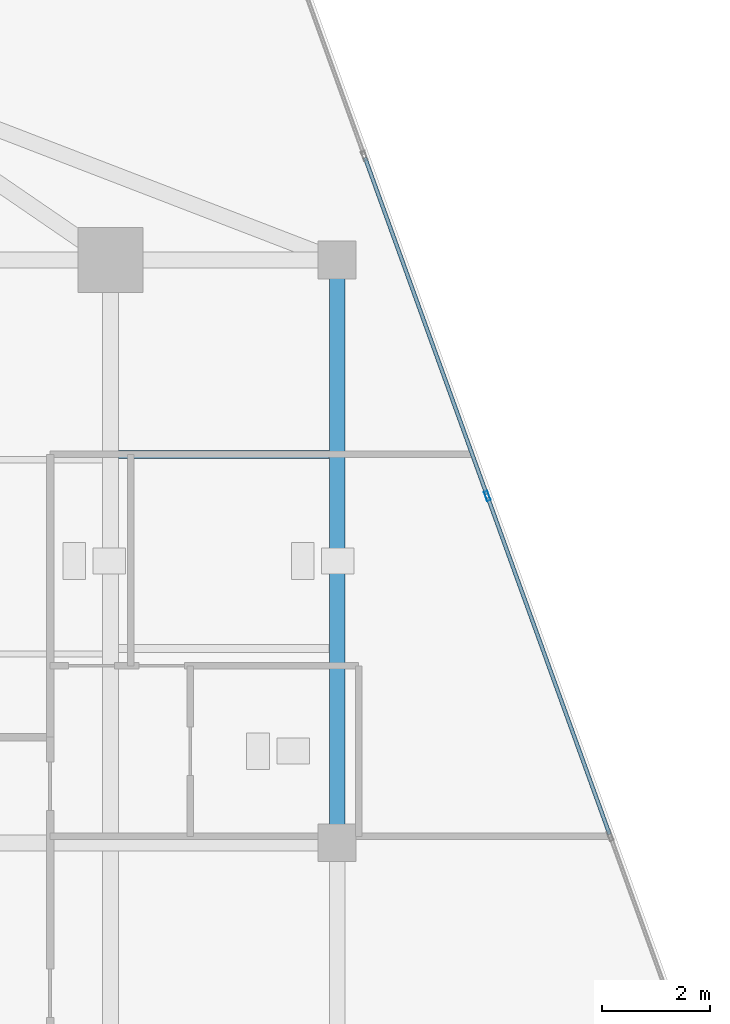
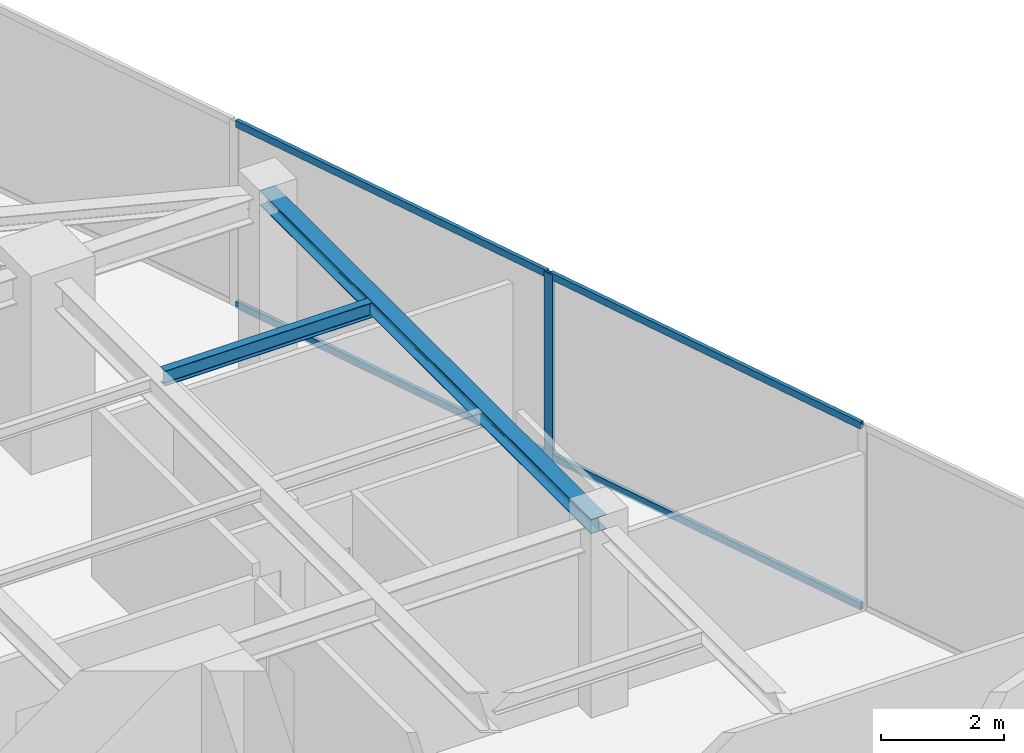
# One storey, part 12 of 21: 5 members, 2 beams, 1 element without a shape of its own.
"""IFC4 building model written with IfcOpenShell, lengths in metres."""

import ifcopenshell
import ifcopenshell.guid

model = None  # the IFC model being written
_history = None  # IfcOwnerHistory: only IFC2X3 demands one
_inside = {}  # id of a spatial element -> (the spatial element, [elements in it])
_under = {}  # id of a project, library or spatial element -> (it, [spatial elements below it])
_declared = {}  # id of a project -> (the project, [libraries it declares])
_typed = {}  # id of a type object -> (the type object, [elements of that type])
_made_of = {}  # id of a material, layer set ... -> (it, [elements and type objects made of it])


def new_model(schema):
    """Start an empty IFC model of exactly this schema.

    Asked for "IFC4X3", IfcOpenShell would pick the latest addendum, in which some entities
    have other attributes; the version numbers below select the first issue.
    IFC2X3 requires an IfcOwnerHistory on every rooted entity: one is made here for all.
    """
    global model, _history
    if schema == "IFC4X3":
        model = ifcopenshell.file(schema_version=(4, 3, 0, 0))
    else:
        model = ifcopenshell.file(schema=schema)
    _inside.clear()
    _under.clear()
    _declared.clear()
    _typed.clear()
    _made_of.clear()
    _history = None
    if model.schema == "IFC2X3":
        org = make("IfcOrganization", Name="unknown")
        user = make(
            "IfcPersonAndOrganization",
            ThePerson=make("IfcPerson", FamilyName="unknown"),
            TheOrganization=org,
        )
        app = make(
            "IfcApplication",
            ApplicationDeveloper=org,
            Version="unknown",
            ApplicationFullName="unknown",
            ApplicationIdentifier="unknown",
        )
        _history = make(
            "IfcOwnerHistory",
            OwningUser=user,
            OwningApplication=app,
            ChangeAction="ADDED",
            CreationDate=0,
        )
    return model


def make(cls, **values):
    """One entity of the class cls with the attributes given. An attribute that is None is left unset."""
    return model.create_entity(
        cls, **{name: value for name, value in values.items() if value is not None}
    )


def rooted(cls, **values):
    """An entity with a GlobalId (a new one), such as an element, a storey or a relation."""
    return make(cls, GlobalId=ifcopenshell.guid.new(), OwnerHistory=_history, **values)


def si_unit(unit_type, name, prefix=None):
    """IfcSIUnit, for example si_unit("LENGTHUNIT", "METRE", prefix="MILLI")."""
    return make("IfcSIUnit", UnitType=unit_type, Prefix=prefix, Name=name)


def assignment(units):
    """IfcUnitAssignment: the units of a project."""
    return None if units is None else make("IfcUnitAssignment", Units=units)


def point(xyz):
    """IfcCartesianPoint."""
    return None if xyz is None else make("IfcCartesianPoint", Coordinates=xyz)


def direction(xyz):
    """IfcDirection."""
    return None if xyz is None else make("IfcDirection", DirectionRatios=xyz)


def frame(location, z_axis=None, x_axis=None):
    """IfcAxis2Placement3D, a coordinate frame: its origin and axes. An axis left out is left unset."""
    return make(
        "IfcAxis2Placement3D",
        Location=point(location),
        Axis=direction(z_axis),
        RefDirection=direction(x_axis),
    )


def frame_2d(location, x_axis=None):
    """IfcAxis2Placement2D, a coordinate frame in the plane: its origin and x axis."""
    return make(
        "IfcAxis2Placement2D", Location=point(location), RefDirection=direction(x_axis)
    )


def origin():
    """The frame at (0, 0, 0) with its axes left unset."""
    return frame((0.0, 0.0, 0.0))


def origin_2d():
    """The frame at (0, 0) in the plane with its x axis left unset."""
    return frame_2d((0.0, 0.0))


def place(relative_to, where):
    """IfcLocalPlacement: puts the frame where relative to a parent placement (None: the world)."""
    return make(
        "IfcLocalPlacement", PlacementRelTo=relative_to, RelativePlacement=where
    )


def context(
    kind, dimensions, precision=None, world=None, true_north=None, identifier=None
):
    """IfcGeometricRepresentationContext, for example the 3D "Model" context."""
    return make(
        "IfcGeometricRepresentationContext",
        ContextIdentifier=identifier,
        ContextType=kind,
        CoordinateSpaceDimension=dimensions,
        Precision=precision,
        WorldCoordinateSystem=world,
        TrueNorth=true_north,
    )


def subcontext(parent, identifier, kind, view, scale=None):
    """IfcGeometricRepresentationSubContext, for example "Body" below "Model"."""
    return make(
        "IfcGeometricRepresentationSubContext",
        ContextIdentifier=identifier,
        ContextType=kind,
        ParentContext=parent,
        TargetScale=scale,
        TargetView=view,
    )


def project(units=None, contexts=None):
    """IfcProject with its units and contexts."""
    return rooted(
        "IfcProject",
        Name="project",
        RepresentationContexts=contexts,
        UnitsInContext=assignment(units),
    )


def spatial(cls, under=None, at=None, **own):
    """A site, building, storey or space (cls), placed at a placement, below another one or the project."""
    s = rooted(cls, ObjectPlacement=at, **own)
    if under is not None:
        _under.setdefault(under.id(), (under, []))[1].append(s)
    return s


def profile(cls, at=None, kind="AREA", **sizes):
    """A parametric profile (cls). Its sizes go by their IFC names, for example OverallWidth=200.0."""
    return make(cls, ProfileType=kind, Position=at, **sizes)


def hollow_rectangle(**sizes):
    """IfcRectangleHollowProfileDef."""
    return profile("IfcRectangleHollowProfileDef", **sizes)


def i_section(**sizes):
    """IfcIShapeProfileDef."""
    return profile("IfcIShapeProfileDef", **sizes)


def extrude(swept, where, along, depth):
    """IfcExtrudedAreaSolid: the profile swept, set in the frame where, extruded along a direction by depth."""
    return make(
        "IfcExtrudedAreaSolid",
        SweptArea=swept,
        Position=where,
        ExtrudedDirection=direction(along),
        Depth=depth,
    )


def shape(context_of_items, identifier, shape_type, items):
    """IfcShapeRepresentation: the items that make up one representation, for example the "Body"."""
    return make(
        "IfcShapeRepresentation",
        ContextOfItems=context_of_items,
        RepresentationIdentifier=identifier,
        RepresentationType=shape_type,
        Items=items,
    )


def source(mapping_origin, context_of_items, identifier, shape_type, items):
    """IfcRepresentationMap: a shape defined once, which mapped items show again and again."""
    return make(
        "IfcRepresentationMap",
        MappingOrigin=mapping_origin,
        MappedRepresentation=shape(context_of_items, identifier, shape_type, items),
    )


def transform(
    local_origin,
    x_axis=None,
    y_axis=None,
    z_axis=None,
    scale=None,
    scale2=None,
    scale3=None,
    uniform=True,
):
    """IfcCartesianTransformationOperator3D, or its non-uniform kind. x_axis, y_axis, z_axis: its Axis1, 2, 3."""
    if uniform:
        return make(
            "IfcCartesianTransformationOperator3D",
            Axis1=direction(x_axis),
            Axis2=direction(y_axis),
            LocalOrigin=point(local_origin),
            Scale=scale,
            Axis3=direction(z_axis),
        )
    return make(
        "IfcCartesianTransformationOperator3DnonUniform",
        Axis1=direction(x_axis),
        Axis2=direction(y_axis),
        LocalOrigin=point(local_origin),
        Scale=scale,
        Axis3=direction(z_axis),
        Scale2=scale2,
        Scale3=scale3,
    )


def mapped(mapping_source, mapping_target):
    """IfcMappedItem: shows the shape of a source again, moved by a transform."""
    return make(
        "IfcMappedItem", MappingSource=mapping_source, MappingTarget=mapping_target
    )


def material(Name=None, Category=None):
    """IfcMaterial."""
    return make("IfcMaterial", Name=Name, Category=Category)


def material_profile(
    of_material, cross_section, Name=None, Category=None, Priority=None
):
    """IfcMaterialProfile: a cross section and its material."""
    return make(
        "IfcMaterialProfile",
        Name=Name,
        Material=of_material,
        Profile=cross_section,
        Priority=Priority,
        Category=Category,
    )


def profile_set(profiles, Name=None, composite=None):
    """IfcMaterialProfileSet."""
    return make(
        "IfcMaterialProfileSet",
        Name=Name,
        MaterialProfiles=profiles,
        CompositeProfile=composite,
    )


def made_of(thing, what):
    """Note that an element or type object is made of a material, layer set ...; save() writes the relation."""
    if what is not None:
        _made_of.setdefault(what.id(), (what, []))[1].append(thing)
    return thing


def type_object(cls, material=None, **own):
    """A type object (cls), such as IfcWallType, which elements share."""
    return made_of(rooted(cls, **own), material)


def type_shapes(of_type, sources):
    """Give a type object the sources (RepresentationMaps) that its elements show as mapped items."""
    of_type.RepresentationMaps = sources


def element(
    cls,
    number,
    at=None,
    inside=None,
    cuts=None,
    type_object=None,
    material=None,
    context=None,
    identifier="Body",
    shape_type=None,
    held_by="IfcProductDefinitionShape",
    body=None,
    shapes=None,
    **own,
):
    """One element of the class cls, such as IfcWall. Its Tag is "e" and its number.

    at: its placement. inside: the storey or other place that contains it. cuts: it is an
    opening in that element (IfcRelVoidsElement). A single representation is given by context,
    identifier, shape_type and body (its items); several are given by shapes. held_by: the class
    of the entity that holds the representations. save() writes the other relations.
    """
    e = rooted(cls, Tag="e%d" % number, ObjectPlacement=at, **own)
    if body is not None:
        shapes = [shape(context, identifier, shape_type, body)]
    if shapes is not None:
        e.Representation = make(held_by, Representations=shapes)
    if inside is not None:
        _inside.setdefault(inside.id(), (inside, []))[1].append(e)
    if cuts is not None:
        rooted(
            "IfcRelVoidsElement", RelatingBuildingElement=cuts, RelatedOpeningElement=e
        )
    if type_object is not None:
        _typed.setdefault(type_object.id(), (type_object, []))[1].append(e)
    return made_of(e, material)


def aggregate(whole, parts):
    """IfcRelAggregates: a whole, such as a stair, and the parts it consists of."""
    return rooted("IfcRelAggregates", RelatingObject=whole, RelatedObjects=parts)


def save(model, path):
    """Write the relations noted so far, then the file.

    IfcRelAggregates (storeys below a building ...), IfcRelContainedInSpatialStructure (elements
    in a storey), IfcRelDefinesByType, IfcRelAssociatesMaterial and IfcRelDeclares: one each for
    every whole, place, type object, material and project.
    """
    for whole, parts in _under.values():
        aggregate(whole, parts)
    for where, things in _inside.values():
        rooted(
            "IfcRelContainedInSpatialStructure",
            RelatedElements=things,
            RelatingStructure=where,
        )
    for kind, things in _typed.values():
        rooted("IfcRelDefinesByType", RelatedObjects=things, RelatingType=kind)
    for what, things in _made_of.values():
        rooted("IfcRelAssociatesMaterial", RelatedObjects=things, RelatingMaterial=what)
    for by, libraries in _declared.values():
        rooted("IfcRelDeclares", RelatingContext=by, RelatedDefinitions=libraries)
    model.write(path)


model = new_model("IFC4")

# Units and contexts
model_context = context("Model", 3, precision=1e-05, world=origin(), true_north=direction((0.0, 1.0)))
body_context = subcontext(model_context, "Body", "Model", "MODEL_VIEW")
ifc_project = project(units=[si_unit("LENGTHUNIT", "METRE"), si_unit("AREAUNIT", "SQUARE_METRE"), si_unit("VOLUMEUNIT", "CUBIC_METRE"), si_unit("PLANEANGLEUNIT", "RADIAN"), si_unit("MASSUNIT", "GRAM", prefix="KILO")], contexts=[model_context])

# Site, building, storey
site_placement = place(None, origin())
site = spatial("IfcSite", under=ifc_project, at=site_placement, CompositionType="ELEMENT")
building_placement = place(site_placement, origin())
building = spatial("IfcBuilding", under=site, at=building_placement, Name="Krantzveldt Concourse Tower", CompositionType="ELEMENT")
storey_placement = place(building_placement, frame((0.0, 0.0, 331.64990234375)))
storey = spatial("IfcBuildingStorey", under=building, at=storey_placement, Name="L81", CompositionType="ELEMENT", Elevation=331.64990234375)

# Beams
ifc_material_1 = material(Name="Steel S355JR", Category="steel")
ifc_material_profile_1 = material_profile(ifc_material_1, i_section(OverallWidth=0.2900390625, OverallDepth=0.2900390625, WebThickness=0.008544921875, FlangeThickness=0.013916015625, FilletRadius=0.027099609375, at=origin_2d()), Name="Steel S355JR", Category="steel")
ifc_profile_set_1 = profile_set([ifc_material_profile_1], Name="Steel S355JR - HEA 300")
beam_type_1 = type_object("IfcBeamType", Name="BM-SP-HEA300", PredefinedType="SPANDREL", material=ifc_profile_set_1)
shared_shape_1 = source(origin(), body_context, "Body", "SweptSolid", [
    extrude(i_section(OverallWidth=0.2900390625, OverallDepth=0.2900390625, WebThickness=0.008544921875, FlangeThickness=0.013916015625, FilletRadius=0.027099609375, at=origin_2d()), origin(), (0.0, 0.0, 1.0), 10.800048828125),
])
type_shapes(beam_type_1, [shared_shape_1])
beam_1_placement = place(storey_placement, frame((51.0, 37.5, 3.525146484375), z_axis=(0.0, -1.0, 0.0), x_axis=(1.0, 0.0, 0.0)))
element("IfcBeam", 1, at=beam_1_placement, inside=storey, type_object=beam_type_1, Name="L81 Tower Girder SP-R06", PredefinedType="SPANDREL", context=body_context, shape_type="MappedRepresentation", body=[
    mapped(shared_shape_1, transform((0.0, 0.0, 0.0), x_axis=(1.0, 0.0, 0.0), y_axis=(0.0, 1.0, 0.0), z_axis=(0.0, 0.0, 1.0), scale=1.0)),
])
ifc_material_profile_2 = material_profile(ifc_material_1, i_section(OverallWidth=0.14990234375, OverallDepth=0.300048828125, WebThickness=0.007080078125, FlangeThickness=0.0107421875, FilletRadius=0.014892578125, at=origin_2d()), Name="Steel S355JR", Category="steel")
ifc_profile_set_2 = profile_set([ifc_material_profile_2], Name="Steel S355JR - IPE 300")
beam_type_2 = type_object("IfcBeamType", Name="BM-J-IPE300", PredefinedType="JOIST", material=ifc_profile_set_2)
shared_shape_2 = source(origin(), body_context, "Body", "SweptSolid", [
    extrude(i_section(OverallWidth=0.14990234375, OverallDepth=0.300048828125, WebThickness=0.007080078125, FlangeThickness=0.0107421875, FilletRadius=0.014892578125, at=origin_2d()), origin(), (0.0, 0.0, 1.0), 3.900146484375),
])
type_shapes(beam_type_2, [shared_shape_2])
beam_2_placement = place(storey_placement, frame((46.949951171875, 33.89990234375, 3.52001953125), z_axis=(1.0, 0.0, 0.0), x_axis=(0.0, 1.0, 0.0)))
element("IfcBeam", 2, at=beam_2_placement, inside=storey, type_object=beam_type_2, Name="L81 Secondary Floor Joist JE-4", PredefinedType="JOIST", context=body_context, shape_type="MappedRepresentation", body=[
    mapped(shared_shape_2, transform((0.0, 0.0, 0.0), x_axis=(1.0, 0.0, 0.0), y_axis=(0.0, 1.0, 0.0), z_axis=(0.0, 0.0, 1.0), scale=1.0)),
])

# Curtain wall, members
ifc_material_2 = material(Name="Anodised aluminium 6063-T6", Category="aluminium")
curtain_wall_type = type_object("IfcCurtainWallType", Name="CW4", PredefinedType="USERDEFINED", material=ifc_material_2)
curtain_wall_placement = place(storey_placement, origin())
curtain_wall = element("IfcCurtainWall", 3, at=curtain_wall_placement, inside=storey, type_object=curtain_wall_type, Name="CW-L81-F10", ObjectType="UNITISED CURTAIN WALL", PredefinedType="USERDEFINED")
ifc_material_profile_3 = material_profile(ifc_material_2, hollow_rectangle(XDim=0.070068359375, YDim=0.179931640625, WallThickness=0.0048828125, at=origin_2d()), Name="Anodised aluminium 6063-T6", Category="aluminium")
ifc_profile_set_3 = profile_set([ifc_material_profile_3], Name="Anodised aluminium 6063-T6 - ALU-MULL 180x70x5")
member_type_1 = type_object("IfcMemberType", Name="CW-MUL-180", PredefinedType="MULLION", material=ifc_profile_set_3)
shared_shape_3 = source(origin(), body_context, "Body", "SweptSolid", [
    extrude(hollow_rectangle(XDim=0.070068359375, YDim=0.179931640625, WallThickness=0.0048828125, at=origin_2d()), origin(), (0.0, 0.0, 1.0), 3.670166015625),
])
type_shapes(member_type_1, [shared_shape_3])
member_1_placement = place(storey_placement, frame((53.78369140625, 33.12890625, 0.0), z_axis=(0.0, 0.0, 1.0), x_axis=(-0.940436624478, -0.339969050563, 0.0)))
member_1 = element("IfcMember", 4, at=member_1_placement, type_object=member_type_1, Name="CW-Z56 mullion 3", PredefinedType="MULLION", context=body_context, shape_type="MappedRepresentation", body=[
    mapped(shared_shape_3, transform((0.0, 0.0, 0.0), x_axis=(1.0, 0.0, 0.0), y_axis=(0.0, 1.0, 0.0), z_axis=(0.0, 0.0, 1.0), scale=1.0)),
])
ifc_material_profile_4 = material_profile(ifc_material_2, hollow_rectangle(XDim=0.070068359375, YDim=0.139892578125, WallThickness=0.0048828125, at=origin_2d()), Name="Anodised aluminium 6063-T6", Category="aluminium")
ifc_profile_set_4 = profile_set([ifc_material_profile_4], Name="Anodised aluminium 6063-T6 - ALU-TRAN 140x70x5")
member_type_2 = type_object("IfcMemberType", Name="CW-TRN-150", PredefinedType="USERDEFINED", material=ifc_profile_set_4)
shared_shape_4 = source(origin(), body_context, "Body", "SweptSolid", [
    extrude(hollow_rectangle(XDim=0.070068359375, YDim=0.139892578125, WallThickness=0.0048828125, at=origin_2d()), origin(), (0.0, 0.0, 1.0), 6.6298828125),
])
type_shapes(member_type_2, [shared_shape_4])
member_2_placement = place(storey_placement, frame((56.049560546875, 26.86083984375, 0.03515625), z_axis=(-0.339956629823, 0.940441114499, 0.0), x_axis=(-0.940441114499, -0.339956629823, 0.0)))
member_2 = element("IfcMember", 5, at=member_2_placement, type_object=member_type_2, Name="CW-Z56 transom 2.1", ObjectType="TRANSOM", PredefinedType="USERDEFINED", context=body_context, shape_type="MappedRepresentation", body=[
    mapped(shared_shape_4, transform((0.0, 0.0, 0.0), x_axis=(1.0, 0.0, 0.0), y_axis=(0.0, 1.0, 0.0), z_axis=(0.0, 0.0, 1.0), scale=1.0)),
])
member_3_placement = place(storey_placement, frame((56.049560546875, 26.86083984375, 3.635009765625), z_axis=(-0.339956629823, 0.940441114499, 0.0), x_axis=(-0.940441114499, -0.339956629823, 0.0)))
member_3 = element("IfcMember", 6, at=member_3_placement, type_object=member_type_2, Name="CW-Z56 transom 2.2", ObjectType="TRANSOM", PredefinedType="USERDEFINED", context=body_context, shape_type="MappedRepresentation", body=[
    mapped(shared_shape_4, transform((0.0, 0.0, 0.0), x_axis=(1.0, 0.0, 0.0), y_axis=(0.0, 1.0, 0.0), z_axis=(0.0, 0.0, 1.0), scale=1.0)),
])
member_4_placement = place(storey_placement, frame((53.771728515625, 33.16162109375, 0.03515625), z_axis=(-0.339956629823, 0.940441114499, 0.0), x_axis=(-0.940441114499, -0.339956629823, 0.0)))
member_4 = element("IfcMember", 7, at=member_4_placement, type_object=member_type_2, Name="CW-Z56 transom 3.1", ObjectType="TRANSOM", PredefinedType="USERDEFINED", context=body_context, shape_type="MappedRepresentation", body=[
    mapped(shared_shape_4, transform((0.0, 0.0, 0.0), x_axis=(1.0, 0.0, 0.0), y_axis=(0.0, 1.0, 0.0), z_axis=(0.0, 0.0, 1.0), scale=1.0)),
])
member_5_placement = place(storey_placement, frame((53.771728515625, 33.16162109375, 3.635009765625), z_axis=(-0.339956629823, 0.940441114499, 0.0), x_axis=(-0.940441114499, -0.339956629823, 0.0)))
member_5 = element("IfcMember", 8, at=member_5_placement, type_object=member_type_2, Name="CW-Z56 transom 3.2", ObjectType="TRANSOM", PredefinedType="USERDEFINED", context=body_context, shape_type="MappedRepresentation", body=[
    mapped(shared_shape_4, transform((0.0, 0.0, 0.0), x_axis=(1.0, 0.0, 0.0), y_axis=(0.0, 1.0, 0.0), z_axis=(0.0, 0.0, 1.0), scale=1.0)),
])
aggregate(curtain_wall, [member_1, member_2, member_3, member_4, member_5])

save(model, "model.ifc")
